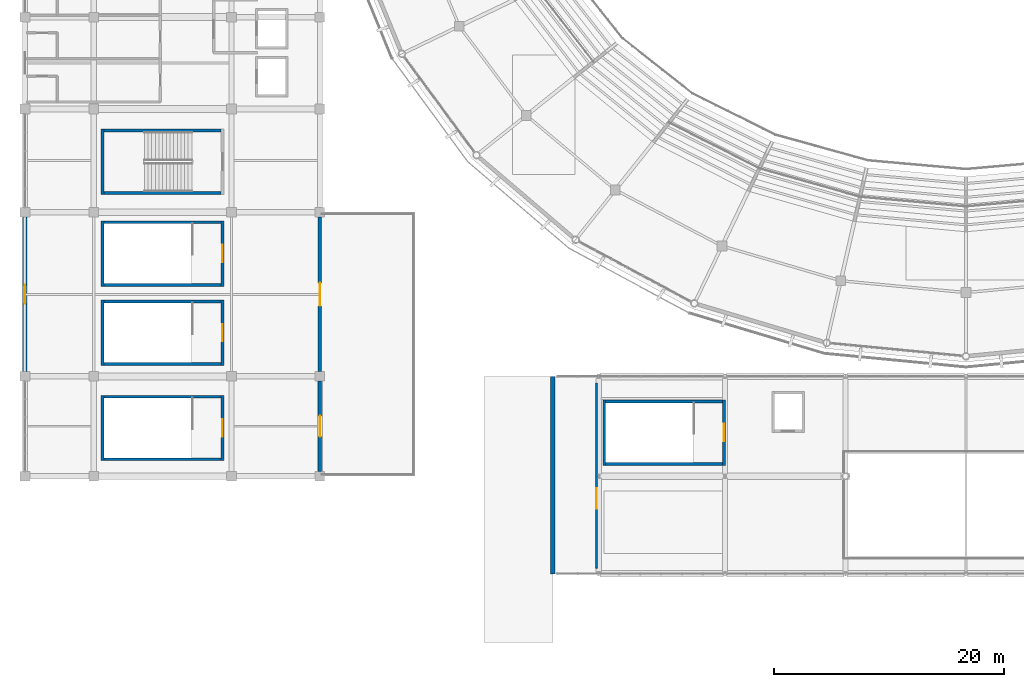
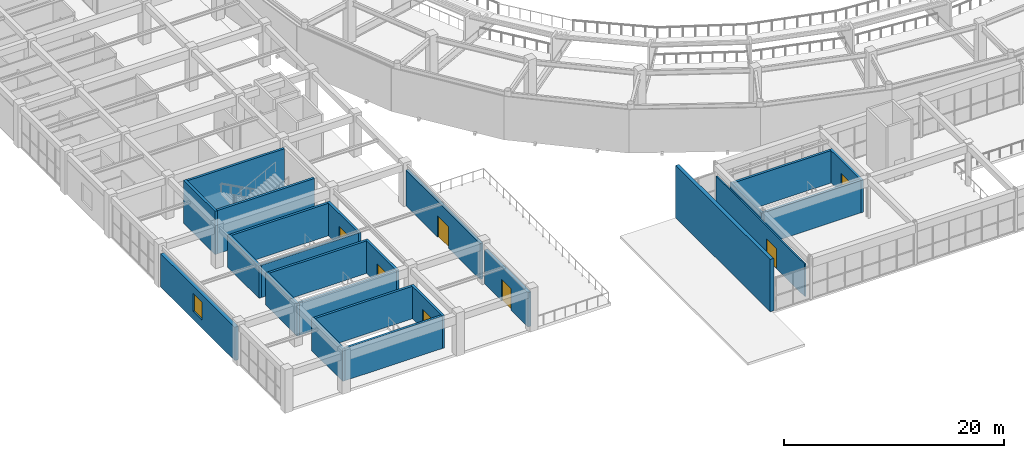
# One storey, part 93 of 122: 24 walls, 7 doors, 1 window, 8 openings.
"""IFC4 building model written with IfcOpenShell, lengths in metres."""

import ifcopenshell
import ifcopenshell.guid

model = None  # the IFC model being written
_history = None  # IfcOwnerHistory: only IFC2X3 demands one
_inside = {}  # id of a spatial element -> (the spatial element, [elements in it])
_under = {}  # id of a project, library or spatial element -> (it, [spatial elements below it])
_declared = {}  # id of a project -> (the project, [libraries it declares])
_typed = {}  # id of a type object -> (the type object, [elements of that type])
_made_of = {}  # id of a material, layer set ... -> (it, [elements and type objects made of it])


def new_model(schema):
    """Start an empty IFC model of exactly this schema.

    Asked for "IFC4X3", IfcOpenShell would pick the latest addendum, in which some entities
    have other attributes; the version numbers below select the first issue.
    IFC2X3 requires an IfcOwnerHistory on every rooted entity: one is made here for all.
    """
    global model, _history
    if schema == "IFC4X3":
        model = ifcopenshell.file(schema_version=(4, 3, 0, 0))
    else:
        model = ifcopenshell.file(schema=schema)
    _inside.clear()
    _under.clear()
    _declared.clear()
    _typed.clear()
    _made_of.clear()
    _history = None
    if model.schema == "IFC2X3":
        org = make("IfcOrganization", Name="unknown")
        user = make(
            "IfcPersonAndOrganization",
            ThePerson=make("IfcPerson", FamilyName="unknown"),
            TheOrganization=org,
        )
        app = make(
            "IfcApplication",
            ApplicationDeveloper=org,
            Version="unknown",
            ApplicationFullName="unknown",
            ApplicationIdentifier="unknown",
        )
        _history = make(
            "IfcOwnerHistory",
            OwningUser=user,
            OwningApplication=app,
            ChangeAction="ADDED",
            CreationDate=0,
        )
    return model


def make(cls, **values):
    """One entity of the class cls with the attributes given. An attribute that is None is left unset."""
    return model.create_entity(
        cls, **{name: value for name, value in values.items() if value is not None}
    )


def rooted(cls, **values):
    """An entity with a GlobalId (a new one), such as an element, a storey or a relation."""
    return make(cls, GlobalId=ifcopenshell.guid.new(), OwnerHistory=_history, **values)


def si_unit(unit_type, name, prefix=None):
    """IfcSIUnit, for example si_unit("LENGTHUNIT", "METRE", prefix="MILLI")."""
    return make("IfcSIUnit", UnitType=unit_type, Prefix=prefix, Name=name)


def assignment(units):
    """IfcUnitAssignment: the units of a project."""
    return None if units is None else make("IfcUnitAssignment", Units=units)


def point(xyz):
    """IfcCartesianPoint."""
    return None if xyz is None else make("IfcCartesianPoint", Coordinates=xyz)


def direction(xyz):
    """IfcDirection."""
    return None if xyz is None else make("IfcDirection", DirectionRatios=xyz)


def frame(location, z_axis=None, x_axis=None):
    """IfcAxis2Placement3D, a coordinate frame: its origin and axes. An axis left out is left unset."""
    return make(
        "IfcAxis2Placement3D",
        Location=point(location),
        Axis=direction(z_axis),
        RefDirection=direction(x_axis),
    )


def frame_2d(location, x_axis=None):
    """IfcAxis2Placement2D, a coordinate frame in the plane: its origin and x axis."""
    return make(
        "IfcAxis2Placement2D", Location=point(location), RefDirection=direction(x_axis)
    )


def origin():
    """The frame at (0, 0, 0) with its axes left unset."""
    return frame((0.0, 0.0, 0.0))


def place(relative_to, where):
    """IfcLocalPlacement: puts the frame where relative to a parent placement (None: the world)."""
    return make(
        "IfcLocalPlacement", PlacementRelTo=relative_to, RelativePlacement=where
    )


def context(
    kind, dimensions, precision=None, world=None, true_north=None, identifier=None
):
    """IfcGeometricRepresentationContext, for example the 3D "Model" context."""
    return make(
        "IfcGeometricRepresentationContext",
        ContextIdentifier=identifier,
        ContextType=kind,
        CoordinateSpaceDimension=dimensions,
        Precision=precision,
        WorldCoordinateSystem=world,
        TrueNorth=true_north,
    )


def subcontext(parent, identifier, kind, view, scale=None):
    """IfcGeometricRepresentationSubContext, for example "Body" below "Model"."""
    return make(
        "IfcGeometricRepresentationSubContext",
        ContextIdentifier=identifier,
        ContextType=kind,
        ParentContext=parent,
        TargetScale=scale,
        TargetView=view,
    )


def project(units=None, contexts=None):
    """IfcProject with its units and contexts."""
    return rooted(
        "IfcProject",
        Name="project",
        RepresentationContexts=contexts,
        UnitsInContext=assignment(units),
    )


def spatial(cls, under=None, at=None, **own):
    """A site, building, storey or space (cls), placed at a placement, below another one or the project."""
    s = rooted(cls, ObjectPlacement=at, **own)
    if under is not None:
        _under.setdefault(under.id(), (under, []))[1].append(s)
    return s


def profile(cls, at=None, kind="AREA", **sizes):
    """A parametric profile (cls). Its sizes go by their IFC names, for example OverallWidth=200.0."""
    return make(cls, ProfileType=kind, Position=at, **sizes)


def rectangle(**sizes):
    """IfcRectangleProfileDef."""
    return profile("IfcRectangleProfileDef", **sizes)


def extrude(swept, where, along, depth):
    """IfcExtrudedAreaSolid: the profile swept, set in the frame where, extruded along a direction by depth."""
    return make(
        "IfcExtrudedAreaSolid",
        SweptArea=swept,
        Position=where,
        ExtrudedDirection=direction(along),
        Depth=depth,
    )


def shape(context_of_items, identifier, shape_type, items):
    """IfcShapeRepresentation: the items that make up one representation, for example the "Body"."""
    return make(
        "IfcShapeRepresentation",
        ContextOfItems=context_of_items,
        RepresentationIdentifier=identifier,
        RepresentationType=shape_type,
        Items=items,
    )


def material(Name=None, Category=None):
    """IfcMaterial."""
    return make("IfcMaterial", Name=Name, Category=Category)


def layer(
    of_material, thickness, ventilated=None, Name=None, Category=None, Priority=None
):
    """IfcMaterialLayer: one layer of a wall or slab, of a material (None: an air gap)."""
    return make(
        "IfcMaterialLayer",
        Material=of_material,
        LayerThickness=thickness,
        IsVentilated=ventilated,
        Name=Name,
        Category=Category,
        Priority=Priority,
    )


def layer_set(layers, Name=None):
    """IfcMaterialLayerSet."""
    return make("IfcMaterialLayerSet", MaterialLayers=layers, LayerSetName=Name)


def made_of(thing, what):
    """Note that an element or type object is made of a material, layer set ...; save() writes the relation."""
    if what is not None:
        _made_of.setdefault(what.id(), (what, []))[1].append(thing)
    return thing


def type_object(cls, material=None, **own):
    """A type object (cls), such as IfcWallType, which elements share."""
    return made_of(rooted(cls, **own), material)


def element(
    cls,
    number,
    at=None,
    inside=None,
    cuts=None,
    type_object=None,
    material=None,
    context=None,
    identifier="Body",
    shape_type=None,
    held_by="IfcProductDefinitionShape",
    body=None,
    shapes=None,
    **own,
):
    """One element of the class cls, such as IfcWall. Its Tag is "e" and its number.

    at: its placement. inside: the storey or other place that contains it. cuts: it is an
    opening in that element (IfcRelVoidsElement). A single representation is given by context,
    identifier, shape_type and body (its items); several are given by shapes. held_by: the class
    of the entity that holds the representations. save() writes the other relations.
    """
    e = rooted(cls, Tag="e%d" % number, ObjectPlacement=at, **own)
    if body is not None:
        shapes = [shape(context, identifier, shape_type, body)]
    if shapes is not None:
        e.Representation = make(held_by, Representations=shapes)
    if inside is not None:
        _inside.setdefault(inside.id(), (inside, []))[1].append(e)
    if cuts is not None:
        rooted(
            "IfcRelVoidsElement", RelatingBuildingElement=cuts, RelatedOpeningElement=e
        )
    if type_object is not None:
        _typed.setdefault(type_object.id(), (type_object, []))[1].append(e)
    return made_of(e, material)


def fill(opening, filler):
    """IfcRelFillsElement: the door or window that sits in an opening."""
    return rooted(
        "IfcRelFillsElement",
        RelatingOpeningElement=opening,
        RelatedBuildingElement=filler,
    )


def aggregate(whole, parts):
    """IfcRelAggregates: a whole, such as a stair, and the parts it consists of."""
    return rooted("IfcRelAggregates", RelatingObject=whole, RelatedObjects=parts)


def save(model, path):
    """Write the relations noted so far, then the file.

    IfcRelAggregates (storeys below a building ...), IfcRelContainedInSpatialStructure (elements
    in a storey), IfcRelDefinesByType, IfcRelAssociatesMaterial and IfcRelDeclares: one each for
    every whole, place, type object, material and project.
    """
    for whole, parts in _under.values():
        aggregate(whole, parts)
    for where, things in _inside.values():
        rooted(
            "IfcRelContainedInSpatialStructure",
            RelatedElements=things,
            RelatingStructure=where,
        )
    for kind, things in _typed.values():
        rooted("IfcRelDefinesByType", RelatedObjects=things, RelatingType=kind)
    for what, things in _made_of.values():
        rooted("IfcRelAssociatesMaterial", RelatedObjects=things, RelatingMaterial=what)
    for by, libraries in _declared.values():
        rooted("IfcRelDeclares", RelatingContext=by, RelatedDefinitions=libraries)
    model.write(path)


model = new_model("IFC4")

# Units and contexts
model_context = context("Model", 3, precision=1e-05, world=origin(), true_north=direction((0.0, 1.0)))
body_context = subcontext(model_context, "Body", "Model", "MODEL_VIEW")
ifc_project = project(units=[si_unit("LENGTHUNIT", "METRE"), si_unit("AREAUNIT", "SQUARE_METRE"), si_unit("VOLUMEUNIT", "CUBIC_METRE"), si_unit("PLANEANGLEUNIT", "RADIAN"), si_unit("MASSUNIT", "GRAM", prefix="KILO")], contexts=[model_context])

# Site, building, storey
site_placement = place(None, origin())
site = spatial("IfcSite", under=ifc_project, at=site_placement, CompositionType="ELEMENT")
building_placement = place(site_placement, origin())
building = spatial("IfcBuilding", under=site, at=building_placement, Name="Cuetzalor Civic Arena", CompositionType="ELEMENT")
storey_placement = place(building_placement, frame((0.0, 0.0, 16.199951171875)))
storey = spatial("IfcBuildingStorey", under=building, at=storey_placement, Name="L03", CompositionType="ELEMENT", Elevation=16.199951171875)

# Wall, opening, door
ifc_material_1 = material(Name="Acoustic steel-stud gypsum partition", Category="steel")
ifc_layer_1 = layer(ifc_material_1, 0.14990234375)
ifc_layer_set_1 = layer_set([ifc_layer_1], Name="Acoustic steel-stud gypsum partition")
wall_type_1 = type_object("IfcWallType", Name="AcousticGypsumPartition_150", PredefinedType="PARTITIONING", material=ifc_layer_set_1)
wall_1_placement = place(storey_placement, frame((-32.199951171875, -48.89990234375, 0.0), z_axis=(0.0, 0.0, 1.0), x_axis=(0.0, -1.0, 0.0)))
wall_1 = element("IfcWall", 1, at=wall_1_placement, inside=storey, type_object=wall_type_1, Name="Interior Partition IWALL:L03:0385", PredefinedType="PARTITIONING", context=body_context, shape_type="SweptSolid", body=[
    extrude(rectangle(XDim=16.10009765625, YDim=0.14990234375, at=frame_2d((8.050048828125, 0.0))), origin(), (0.0, 0.0, 1.0), 3.60498046875),
])
opening_1_placement = place(wall_1_placement, frame((9.14990234375, 0.0, 0.0)))
opening_1 = element("IfcOpeningElement", 2, at=opening_1_placement, cuts=wall_1, Name="Opening ID-06", PredefinedType="OPENING", context=body_context, shape_type="SweptSolid", body=[
    extrude(rectangle(XDim=1.800048828125, YDim=2.199951171875, at=frame_2d((0.89990234375, 1.10009765625))), frame((0.0, 0.0849609375, 0.0), z_axis=(0.0, -1.0, 0.0), x_axis=(1.0, 0.0, 0.0)), (0.0, 0.0, 1.0), 0.169921875),
])
ifc_material_2 = material(Name="Glazed bronze acoustic double door", Category="metal")
door_type_1 = type_object("IfcDoorType", Name="PublicDoubleDoor_1800x2200", OperationType="DOUBLE_DOOR_SINGLE_SWING", PredefinedType="DOOR", material=ifc_material_2)
door_1_placement = place(opening_1_placement, origin())
door_1 = element("IfcDoor", 3, at=door_1_placement, inside=storey, type_object=door_type_1, Name="Door to Civic Gallery Banquet Hall West L03", OperationType="DOUBLE_DOOR_SINGLE_SWING", OverallHeight=2.199951171875, OverallWidth=1.800048828125, PredefinedType="DOOR", context=body_context, shape_type="SweptSolid", body=[
    extrude(rectangle(XDim=1.800048828125, YDim=2.199951171875, at=frame_2d((0.89990234375, 1.10009765625))), frame((0.0, 0.02490234375, 0.0), z_axis=(0.0, -1.0, 0.0), x_axis=(1.0, 0.0, 0.0)), (0.0, 0.0, 1.0), 0.050048828125),
])
fill(opening_1, door_1)

# Walls
ifc_material_3 = material(Name="Concrete C40/50", Category="concrete")
ifc_layer_2 = layer(ifc_material_3, 0.25)
ifc_layer_set_2 = layer_set([ifc_layer_2], Name="Concrete C40/50")
wall_type_2 = type_object("IfcWallType", Name="ConcreteCoreShearWall_250", PredefinedType="SHEAR", material=ifc_layer_set_2)
wall_2_placement = place(storey_placement, frame((-31.52490234375, -56.050048828125, 0.0), z_axis=(0.0, 0.0, 1.0), x_axis=(0.0, 1.0, 0.0)))
element("IfcWall", 4, at=wall_2_placement, inside=storey, type_object=wall_type_2, Name="Stair Core Shear Wall ST-10-L03-W", PredefinedType="SHEAR", context=body_context, shape_type="SweptSolid", body=[
    extrude(rectangle(XDim=5.699951171875, YDim=0.25, at=frame_2d((2.85009765625, 0.0))), origin(), (0.0, 0.0, 1.0), 3.60009765625),
])
wall_3_placement = place(storey_placement, frame((-31.39990234375, -50.47509765625, 0.0), z_axis=(0.0, 0.0, 1.0), x_axis=(1.0, 0.0, 0.0)))
element("IfcWall", 5, at=wall_3_placement, inside=storey, type_object=wall_type_2, Name="Stair Core Shear Wall ST-10-L03-N", PredefinedType="SHEAR", context=body_context, shape_type="SweptSolid", body=[
    extrude(rectangle(XDim=10.199951171875, YDim=0.25, at=frame_2d((5.10009765625, 0.0))), origin(), (0.0, 0.0, 1.0), 3.60009765625),
])

# Wall, opening, door
wall_4_placement = place(storey_placement, frame((-21.074951171875, -50.35009765625, 0.0), z_axis=(0.0, 0.0, 1.0), x_axis=(0.0, -1.0, 0.0)))
wall_4 = element("IfcWall", 6, at=wall_4_placement, inside=storey, type_object=wall_type_2, Name="Stair Core Shear Wall ST-10-L03-E", PredefinedType="SHEAR", context=body_context, shape_type="SweptSolid", body=[
    extrude(rectangle(XDim=5.699951171875, YDim=0.25, at=frame_2d((2.85009765625, 0.0))), origin(), (0.0, 0.0, 1.0), 3.60009765625),
])
opening_2_placement = place(wall_4_placement, frame((2.10009765625, 0.0, 0.0)))
opening_2 = element("IfcOpeningElement", 7, at=opening_2_placement, cuts=wall_4, Name="Opening FD-03", PredefinedType="OPENING", context=body_context, shape_type="SweptSolid", body=[
    extrude(rectangle(XDim=1.5, YDim=2.199951171875, at=frame_2d((0.75, 1.10009765625))), frame((0.0, 0.135009765625, 0.0), z_axis=(0.0, -1.0, 0.0), x_axis=(1.0, 0.0, 0.0)), (0.0, 0.0, 1.0), 0.27001953125),
])
ifc_material_4 = material(Name="Fire-rated steel stair exit double door", Category="steel")
door_type_2 = type_object("IfcDoorType", Name="StairFireDoubleDoor_1500x2200", OperationType="DOUBLE_DOOR_SINGLE_SWING", PredefinedType="DOOR", material=ifc_material_4)
door_2_placement = place(opening_2_placement, origin())
door_2 = element("IfcDoor", 8, at=door_2_placement, inside=storey, type_object=door_type_2, Name="Fire Stair Door ST-10 L03", OperationType="DOUBLE_DOOR_SINGLE_SWING", OverallHeight=2.199951171875, OverallWidth=1.5, PredefinedType="DOOR", context=body_context, shape_type="SweptSolid", body=[
    extrude(rectangle(XDim=1.5, YDim=2.199951171875, at=frame_2d((0.75, 1.10009765625))), frame((0.0, 0.02490234375, 0.0), z_axis=(0.0, -1.0, 0.0), x_axis=(1.0, 0.0, 0.0)), (0.0, 0.0, 1.0), 0.050048828125),
])
fill(opening_2, door_2)

# Walls
wall_5_placement = place(storey_placement, frame((-21.199951171875, -55.925048828125, 0.0), z_axis=(0.0, 0.0, 1.0), x_axis=(-1.0, 0.0, 0.0)))
element("IfcWall", 9, at=wall_5_placement, inside=storey, type_object=wall_type_2, Name="Stair Core Shear Wall ST-10-L03-S", PredefinedType="SHEAR", context=body_context, shape_type="SweptSolid", body=[
    extrude(rectangle(XDim=10.199951171875, YDim=0.25, at=frame_2d((5.10009765625, 0.0))), origin(), (0.0, 0.0, 1.0), 3.60009765625),
])
wall_6_placement = place(storey_placement, frame((-75.22509765625, -55.64990234375, 0.0), z_axis=(0.0, 0.0, 1.0), x_axis=(0.0, 1.0, 0.0)))
element("IfcWall", 10, at=wall_6_placement, inside=storey, type_object=wall_type_2, Name="Stair Core Shear Wall ST-13-L03-W", PredefinedType="SHEAR", context=body_context, shape_type="SweptSolid", body=[
    extrude(rectangle(XDim=5.699951171875, YDim=0.25, at=frame_2d((2.85009765625, 0.0))), origin(), (0.0, 0.0, 1.0), 3.60009765625),
])
wall_7_placement = place(storey_placement, frame((-75.10009765625, -50.074951171875, 0.0), z_axis=(0.0, 0.0, 1.0), x_axis=(1.0, 0.0, 0.0)))
element("IfcWall", 11, at=wall_7_placement, inside=storey, type_object=wall_type_2, Name="Stair Core Shear Wall ST-13-L03-N", PredefinedType="SHEAR", context=body_context, shape_type="SweptSolid", body=[
    extrude(rectangle(XDim=10.2001953125, YDim=0.25, at=frame_2d((5.10009765625, 0.0))), origin(), (0.0, 0.0, 1.0), 3.60009765625),
])

# Wall, opening, door
wall_8_placement = place(storey_placement, frame((-64.77490234375, -49.949951171875, 0.0), z_axis=(0.0, 0.0, 1.0), x_axis=(0.0, -1.0, 0.0)))
wall_8 = element("IfcWall", 12, at=wall_8_placement, inside=storey, type_object=wall_type_2, Name="Stair Core Shear Wall ST-13-L03-E", PredefinedType="SHEAR", context=body_context, shape_type="SweptSolid", body=[
    extrude(rectangle(XDim=5.699951171875, YDim=0.25, at=frame_2d((2.85009765625, 0.0))), origin(), (0.0, 0.0, 1.0), 3.60009765625),
])
opening_3_placement = place(wall_8_placement, frame((2.10009765625, 0.0, 0.0)))
opening_3 = element("IfcOpeningElement", 13, at=opening_3_placement, cuts=wall_8, Name="Opening FD-03", PredefinedType="OPENING", context=body_context, shape_type="SweptSolid", body=[
    extrude(rectangle(XDim=1.5, YDim=2.199951171875, at=frame_2d((0.75, 1.10009765625))), frame((0.0, 0.135009765625, 0.0), z_axis=(0.0, -1.0, 0.0), x_axis=(1.0, 0.0, 0.0)), (0.0, 0.0, 1.0), 0.27001953125),
])
door_3_placement = place(opening_3_placement, origin())
door_3 = element("IfcDoor", 14, at=door_3_placement, inside=storey, type_object=door_type_2, Name="Fire Stair Door ST-13 L03", OperationType="DOUBLE_DOOR_SINGLE_SWING", OverallHeight=2.199951171875, OverallWidth=1.5, PredefinedType="DOOR", context=body_context, shape_type="SweptSolid", body=[
    extrude(rectangle(XDim=1.5, YDim=2.199951171875, at=frame_2d((0.75, 1.10009765625))), frame((0.0, 0.02490234375, 0.0), z_axis=(0.0, -1.0, 0.0), x_axis=(1.0, 0.0, 0.0)), (0.0, 0.0, 1.0), 0.050048828125),
])
fill(opening_3, door_3)

# Walls
wall_9_placement = place(storey_placement, frame((-64.89990234375, -55.52490234375, 0.0), z_axis=(0.0, 0.0, 1.0), x_axis=(-1.0, 0.0, 0.0)))
element("IfcWall", 15, at=wall_9_placement, inside=storey, type_object=wall_type_2, Name="Stair Core Shear Wall ST-13-L03-S", PredefinedType="SHEAR", context=body_context, shape_type="SweptSolid", body=[
    extrude(rectangle(XDim=10.2001953125, YDim=0.25, at=frame_2d((5.10009765625, 0.0))), origin(), (0.0, 0.0, 1.0), 3.60009765625),
])
wall_10_placement = place(storey_placement, frame((-75.22509765625, -47.35009765625, 0.0), z_axis=(0.0, 0.0, 1.0), x_axis=(0.0, 1.0, 0.0)))
element("IfcWall", 16, at=wall_10_placement, inside=storey, type_object=wall_type_2, Name="Stair Core Shear Wall ST-14-L03-W", PredefinedType="SHEAR", context=body_context, shape_type="SweptSolid", body=[
    extrude(rectangle(XDim=5.7001953125, YDim=0.25, at=frame_2d((2.85009765625, 0.0))), origin(), (0.0, 0.0, 1.0), 3.60009765625),
])
wall_11_placement = place(storey_placement, frame((-75.10009765625, -41.77490234375, 0.0), z_axis=(0.0, 0.0, 1.0), x_axis=(1.0, 0.0, 0.0)))
element("IfcWall", 17, at=wall_11_placement, inside=storey, type_object=wall_type_2, Name="Stair Core Shear Wall ST-14-L03-N", PredefinedType="SHEAR", context=body_context, shape_type="SweptSolid", body=[
    extrude(rectangle(XDim=10.2001953125, YDim=0.25, at=frame_2d((5.10009765625, 0.0))), origin(), (0.0, 0.0, 1.0), 3.60009765625),
])

# Wall, opening, door
wall_12_placement = place(storey_placement, frame((-64.77490234375, -41.64990234375, 0.0), z_axis=(0.0, 0.0, 1.0), x_axis=(0.0, -1.0, 0.0)))
wall_12 = element("IfcWall", 18, at=wall_12_placement, inside=storey, type_object=wall_type_2, Name="Stair Core Shear Wall ST-14-L03-E", PredefinedType="SHEAR", context=body_context, shape_type="SweptSolid", body=[
    extrude(rectangle(XDim=5.7001953125, YDim=0.25, at=frame_2d((2.85009765625, 0.0))), origin(), (0.0, 0.0, 1.0), 3.60009765625),
])
opening_4_placement = place(wall_12_placement, frame((2.10009765625, 0.0, 0.0)))
opening_4 = element("IfcOpeningElement", 19, at=opening_4_placement, cuts=wall_12, Name="Opening FD-03", PredefinedType="OPENING", context=body_context, shape_type="SweptSolid", body=[
    extrude(rectangle(XDim=1.5, YDim=2.199951171875, at=frame_2d((0.75, 1.10009765625))), frame((0.0, 0.135009765625, 0.0), z_axis=(0.0, -1.0, 0.0), x_axis=(1.0, 0.0, 0.0)), (0.0, 0.0, 1.0), 0.27001953125),
])
door_4_placement = place(opening_4_placement, origin())
door_4 = element("IfcDoor", 20, at=door_4_placement, inside=storey, type_object=door_type_2, Name="Fire Stair Door ST-14 L03", OperationType="DOUBLE_DOOR_SINGLE_SWING", OverallHeight=2.199951171875, OverallWidth=1.5, PredefinedType="DOOR", context=body_context, shape_type="SweptSolid", body=[
    extrude(rectangle(XDim=1.5, YDim=2.199951171875, at=frame_2d((0.75, 1.10009765625))), frame((0.0, 0.02490234375, 0.0), z_axis=(0.0, -1.0, 0.0), x_axis=(1.0, 0.0, 0.0)), (0.0, 0.0, 1.0), 0.050048828125),
])
fill(opening_4, door_4)

# Walls
wall_13_placement = place(storey_placement, frame((-64.89990234375, -47.22509765625, 0.0), z_axis=(0.0, 0.0, 1.0), x_axis=(-1.0, 0.0, 0.0)))
element("IfcWall", 21, at=wall_13_placement, inside=storey, type_object=wall_type_2, Name="Stair Core Shear Wall ST-14-L03-S", PredefinedType="SHEAR", context=body_context, shape_type="SweptSolid", body=[
    extrude(rectangle(XDim=10.2001953125, YDim=0.25, at=frame_2d((5.10009765625, 0.0))), origin(), (0.0, 0.0, 1.0), 3.60009765625),
])
wall_14_placement = place(storey_placement, frame((-75.22509765625, -40.449951171875, 0.0), z_axis=(0.0, 0.0, 1.0), x_axis=(0.0, 1.0, 0.0)))
element("IfcWall", 22, at=wall_14_placement, inside=storey, type_object=wall_type_2, Name="Stair Core Shear Wall ST-15-L03-W", PredefinedType="SHEAR", context=body_context, shape_type="SweptSolid", body=[
    extrude(rectangle(XDim=5.699951171875, YDim=0.25, at=frame_2d((2.85009765625, 0.0))), origin(), (0.0, 0.0, 1.0), 3.60009765625),
])
wall_15_placement = place(storey_placement, frame((-75.10009765625, -34.875, 0.0), z_axis=(0.0, 0.0, 1.0), x_axis=(1.0, 0.0, 0.0)))
element("IfcWall", 23, at=wall_15_placement, inside=storey, type_object=wall_type_2, Name="Stair Core Shear Wall ST-15-L03-N", PredefinedType="SHEAR", context=body_context, shape_type="SweptSolid", body=[
    extrude(rectangle(XDim=10.2001953125, YDim=0.25, at=frame_2d((5.10009765625, 0.0))), origin(), (0.0, 0.0, 1.0), 3.60009765625),
])

# Wall, opening, door
wall_16_placement = place(storey_placement, frame((-64.77490234375, -34.75, 0.0), z_axis=(0.0, 0.0, 1.0), x_axis=(0.0, -1.0, 0.0)))
wall_16 = element("IfcWall", 24, at=wall_16_placement, inside=storey, type_object=wall_type_2, Name="Stair Core Shear Wall ST-15-L03-E", PredefinedType="SHEAR", context=body_context, shape_type="SweptSolid", body=[
    extrude(rectangle(XDim=5.699951171875, YDim=0.25, at=frame_2d((2.85009765625, 0.0))), origin(), (0.0, 0.0, 1.0), 3.60009765625),
])
opening_5_placement = place(wall_16_placement, frame((2.10009765625, 0.0, 0.0)))
opening_5 = element("IfcOpeningElement", 25, at=opening_5_placement, cuts=wall_16, Name="Opening FD-03", PredefinedType="OPENING", context=body_context, shape_type="SweptSolid", body=[
    extrude(rectangle(XDim=1.5, YDim=2.199951171875, at=frame_2d((0.75, 1.10009765625))), frame((0.0, 0.135009765625, 0.0), z_axis=(0.0, -1.0, 0.0), x_axis=(1.0, 0.0, 0.0)), (0.0, 0.0, 1.0), 0.27001953125),
])
door_5_placement = place(opening_5_placement, origin())
door_5 = element("IfcDoor", 26, at=door_5_placement, inside=storey, type_object=door_type_2, Name="Fire Stair Door ST-15 L03", OperationType="DOUBLE_DOOR_SINGLE_SWING", OverallHeight=2.199951171875, OverallWidth=1.5, PredefinedType="DOOR", context=body_context, shape_type="SweptSolid", body=[
    extrude(rectangle(XDim=1.5, YDim=2.199951171875, at=frame_2d((0.75, 1.10009765625))), frame((0.0, 0.02490234375, 0.0), z_axis=(0.0, -1.0, 0.0), x_axis=(1.0, 0.0, 0.0)), (0.0, 0.0, 1.0), 0.050048828125),
])
fill(opening_5, door_5)

# Walls
wall_17_placement = place(storey_placement, frame((-64.89990234375, -40.324951171875, 0.0), z_axis=(0.0, 0.0, 1.0), x_axis=(-1.0, 0.0, 0.0)))
element("IfcWall", 27, at=wall_17_placement, inside=storey, type_object=wall_type_2, Name="Stair Core Shear Wall ST-15-L03-S", PredefinedType="SHEAR", context=body_context, shape_type="SweptSolid", body=[
    extrude(rectangle(XDim=10.2001953125, YDim=0.25, at=frame_2d((5.10009765625, 0.0))), origin(), (0.0, 0.0, 1.0), 3.60009765625),
])
wall_18_placement = place(storey_placement, frame((-75.22509765625, -32.449951171875, 0.0), z_axis=(0.0, 0.0, 1.0), x_axis=(0.0, 1.0, 0.0)))
element("IfcWall", 28, at=wall_18_placement, inside=storey, type_object=wall_type_2, Name="Stair Core Shear Wall ST-16-L03-W", PredefinedType="SHEAR", context=body_context, shape_type="SweptSolid", body=[
    extrude(rectangle(XDim=5.699951171875, YDim=0.25, at=frame_2d((2.85009765625, 0.0))), origin(), (0.0, 0.0, 1.0), 4.800048828125),
])
for number, where, z_axis, x_axis, name in (
    (29, (-75.10009765625, -26.875, 0.0), (0.0, 0.0, 1.0), (1.0, 0.0, 0.0), "Stair Core Shear Wall ST-16-L03-N"),
    (30, (-64.89990234375, -32.324951171875, 0.0), (0.0, 0.0, 1.0), (-1.0, 0.0, 0.0), "Stair Core Shear Wall ST-16-L03-S"),
):
    element("IfcWall", number, at=place(storey_placement, frame(where, z_axis=z_axis, x_axis=x_axis)), inside=storey, type_object=wall_type_2, Name=name, PredefinedType="SHEAR", context=body_context, shape_type="SweptSolid", body=[
        extrude(rectangle(XDim=10.2001953125, YDim=0.25, at=frame_2d((5.10009765625, 0.0))), origin(), (0.0, 0.0, 1.0), 4.800048828125),
    ])

# Wall, opening, door
ifc_material_5 = material(Name="Precast concrete C40/50 insulated cladding", Category="concrete")
ifc_layer_3 = layer(ifc_material_5, 0.320068359375)
ifc_layer_set_3 = layer_set([ifc_layer_3], Name="Precast concrete C40/50 insulated cladding")
wall_type_3 = type_object("IfcWallType", Name="InsulatedPrecastWall_320", PredefinedType="SOLIDWALL", material=ifc_layer_set_3)
wall_19_placement = place(storey_placement, frame((-56.300048828125, -48.70703125, 0.0), z_axis=(0.0, 0.0, 1.0), x_axis=(0.0, -1.0, 0.0)))
wall_19 = element("IfcWall", 31, at=wall_19_placement, inside=storey, type_object=wall_type_3, Name="V4W L03 Roof Garden Access Wall L03-149", PredefinedType="SOLIDWALL", context=body_context, shape_type="SweptSolid", body=[
    extrude(rectangle(XDim=7.885986328125, YDim=0.320068359375, at=frame_2d((3.94287109375, 0.0))), origin(), (0.0, 0.0, 1.0), 3.800048828125),
])
opening_6_placement = place(wall_19_placement, frame((3.04296875, 0.0, 0.0)))
opening_6 = element("IfcOpeningElement", 32, at=opening_6_placement, cuts=wall_19, Name="Opening ED-09", PredefinedType="OPENING", context=body_context, shape_type="SweptSolid", body=[
    extrude(rectangle(XDim=1.800048828125, YDim=2.39990234375, at=frame_2d((0.89990234375, 1.199951171875))), frame((0.0, 0.169921875, 0.0), z_axis=(0.0, -1.0, 0.0), x_axis=(1.0, 0.0, 0.0)), (0.0, 0.0, 1.0), 0.340087890625),
])
ifc_material_6 = material(Name="Thermally broken bronze steel and laminated glass", Category="steel")
door_type_3 = type_object("IfcDoorType", Name="RoofGardenGlazedDoor_1800x2400", OperationType="DOUBLE_DOOR_SINGLE_SWING", PredefinedType="DOOR", material=ifc_material_6)
door_6_placement = place(opening_6_placement, origin())
door_6 = element("IfcDoor", 33, at=door_6_placement, inside=storey, type_object=door_type_3, Name="Glazed Door to Planted Roof Garden V4W L03-1", OperationType="DOUBLE_DOOR_SINGLE_SWING", OverallHeight=2.39990234375, OverallWidth=1.800048828125, PredefinedType="DOOR", context=body_context, shape_type="SweptSolid", body=[
    extrude(rectangle(XDim=1.800048828125, YDim=2.39990234375, at=frame_2d((0.89990234375, 1.199951171875))), frame((0.0, 0.02490234375, 0.0), z_axis=(0.0, -1.0, 0.0), x_axis=(1.0, 0.0, 0.0)), (0.0, 0.0, 1.0), 0.050048828125),
])
fill(opening_6, door_6)

wall_20_placement = place(storey_placement, frame((-56.300048828125, -34.406982421875, 0.0), z_axis=(0.0, 0.0, 1.0), x_axis=(0.0, -1.0, 0.0)))
wall_20 = element("IfcWall", 34, at=wall_20_placement, inside=storey, type_object=wall_type_3, Name="V4W L03 Roof Garden Access Wall L03-150", PredefinedType="SOLIDWALL", context=body_context, shape_type="SweptSolid", body=[
    extrude(rectangle(XDim=13.486083984375, YDim=0.320068359375, at=frame_2d((6.7431640625, 0.0))), origin(), (0.0, 0.0, 1.0), 3.97705078125),
])
opening_7_placement = place(wall_20_placement, frame((5.742919921875, 0.0, 0.0)))
opening_7 = element("IfcOpeningElement", 35, at=opening_7_placement, cuts=wall_20, Name="Opening ED-10", PredefinedType="OPENING", context=body_context, shape_type="SweptSolid", body=[
    extrude(rectangle(XDim=2.0, YDim=2.39990234375, at=frame_2d((1.0, 1.199951171875))), frame((0.0, 0.169921875, 0.0), z_axis=(0.0, -1.0, 0.0), x_axis=(1.0, 0.0, 0.0)), (0.0, 0.0, 1.0), 0.340087890625),
])
ifc_material_7 = material(Name="Thermally broken bronze steel and laminated glass", Category="steel")
door_type_4 = type_object("IfcDoorType", Name="RoofGardenGlazedDoor_2000x2400", OperationType="DOUBLE_DOOR_SINGLE_SWING", PredefinedType="DOOR", material=ifc_material_7)
door_7_placement = place(opening_7_placement, origin())
door_7 = element("IfcDoor", 36, at=door_7_placement, inside=storey, type_object=door_type_4, Name="Glazed Door to Planted Roof Garden V4W L03-2", OperationType="DOUBLE_DOOR_SINGLE_SWING", OverallHeight=2.39990234375, OverallWidth=2.0, PredefinedType="DOOR", context=body_context, shape_type="SweptSolid", body=[
    extrude(rectangle(XDim=2.0, YDim=2.39990234375, at=frame_2d((1.0, 1.199951171875))), frame((0.0, 0.02490234375, 0.0), z_axis=(0.0, -1.0, 0.0), x_axis=(1.0, 0.0, 0.0)), (0.0, 0.0, 1.0), 0.050048828125),
])
fill(opening_7, door_7)

# Wall
ifc_material_8 = material(Name="Polychrome Talavera ceramic on Concrete C35/45", Category="concrete")
ifc_layer_4 = layer(ifc_material_8, 0.3798828125)
ifc_layer_set_4 = layer_set([ifc_layer_4], Name="Polychrome Talavera ceramic on Concrete C35/45")
wall_type_4 = type_object("IfcWallType", Name="TalaveraSpandrelWall_380", PredefinedType="SOLIDWALL", material=ifc_layer_set_4)
wall_21_placement = place(storey_placement, frame((-36.0, -65.5, 0.0), z_axis=(0.0, 0.0, 1.0), x_axis=(0.0, 1.0, 0.0)))
element("IfcWall", 37, at=wall_21_placement, inside=storey, type_object=wall_type_4, Name="Foyer L03 West Gable Wall L03-119", PredefinedType="SOLIDWALL", context=body_context, shape_type="SweptSolid", body=[
    extrude(rectangle(XDim=17.199951171875, YDim=0.3798828125, at=frame_2d((8.60009765625, 0.0))), origin(), (0.0, 0.0, 1.0), 5.800048828125),
])

# Wall, opening, window
wall_22_placement = place(storey_placement, frame((-82.0, -47.89306640625, 0.0), z_axis=(0.0, 0.0, 1.0), x_axis=(0.0, 1.0, 0.0)))
wall_22 = element("IfcWall", 38, at=wall_22_placement, inside=storey, type_object=wall_type_4, Name="V4W Outer Talavera Wall L03-136", PredefinedType="SOLIDWALL", context=body_context, shape_type="SweptSolid", body=[
    extrude(rectangle(XDim=13.486083984375, YDim=0.3798828125, at=frame_2d((6.7431640625, 0.0))), origin(), (0.0, 0.0, 1.0), 3.699951171875),
])
opening_8_placement = place(wall_22_placement, frame((5.91796875, 0.0, 0.89990234375)))
opening_8 = element("IfcOpeningElement", 39, at=opening_8_placement, cuts=wall_22, Name="Opening WN-31", PredefinedType="OPENING", context=body_context, shape_type="SweptSolid", body=[
    extrude(rectangle(XDim=1.64990234375, YDim=2.0, at=frame_2d((0.824951171875, 1.0))), frame((0.0, 0.199951171875, 0.0), z_axis=(0.0, -1.0, 0.0), x_axis=(1.0, 0.0, 0.0)), (0.0, 0.0, 1.0), 0.39990234375),
])
ifc_material_9 = material(Name="Anodised bronze aluminium and low-E solar glass", Category="aluminium")
window_type = type_object("IfcWindowType", Name="BronzeThermalWindow_1650x2000", PartitioningType="SINGLE_PANEL", PredefinedType="WINDOW", material=ifc_material_9)
window_placement = place(opening_8_placement, origin())
window = element("IfcWindow", 40, at=window_placement, inside=storey, type_object=window_type, Name="V4W Facade Window L03-0031", OverallHeight=2.0, OverallWidth=1.64990234375, PartitioningType="SINGLE_PANEL", PredefinedType="WINDOW", context=body_context, shape_type="SweptSolid", body=[
    extrude(rectangle(XDim=1.64990234375, YDim=2.0, at=frame_2d((0.824951171875, 1.0))), frame((0.0, 0.030029296875, 0.0), z_axis=(0.0, -1.0, 0.0), x_axis=(1.0, 0.0, 0.0)), (0.0, 0.0, 1.0), 0.06005859375),
])
fill(opening_8, window)

save(model, "model.ifc")
